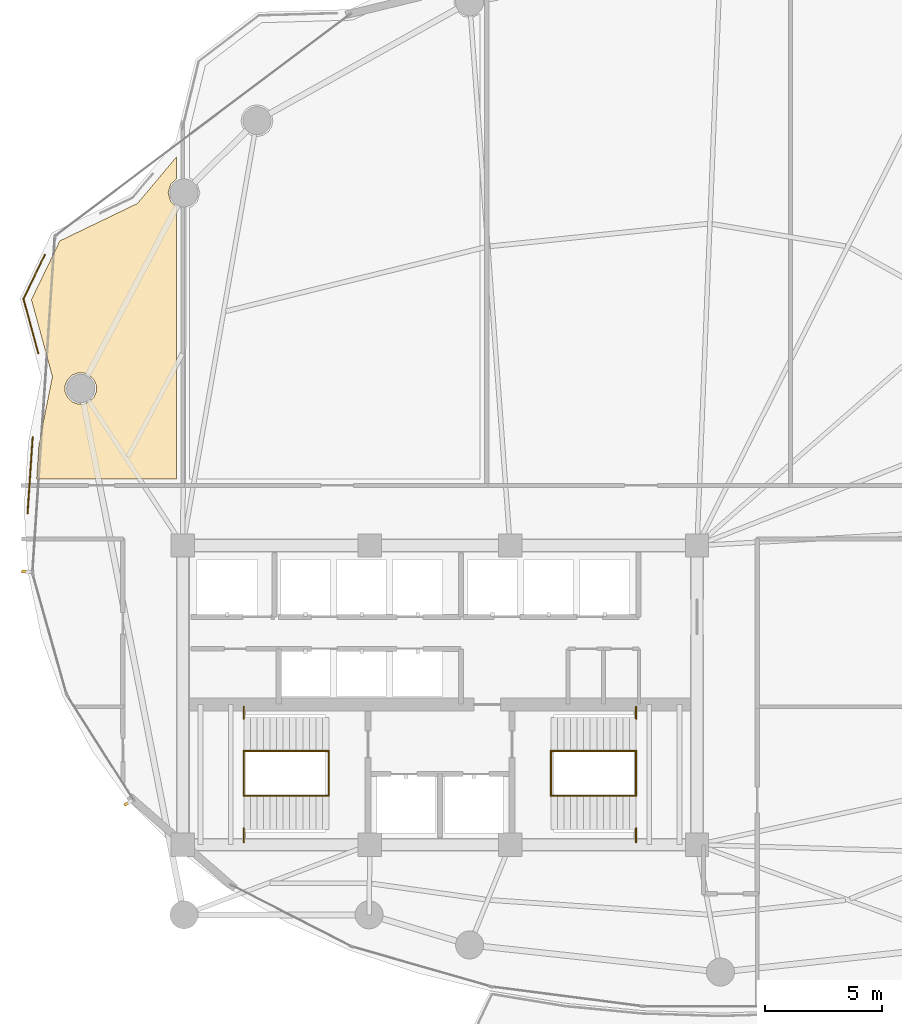
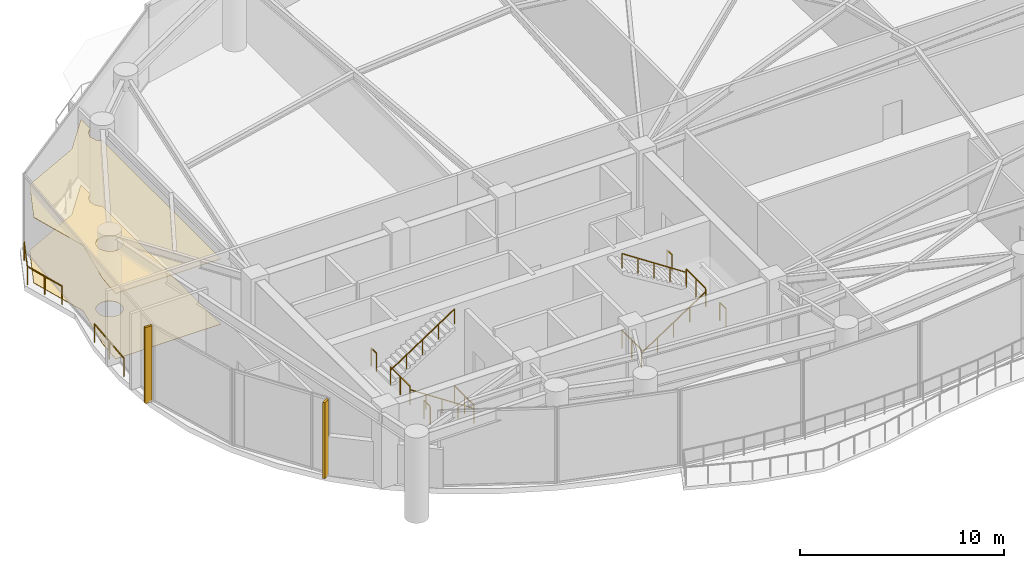
# One storey, part 28 of 30: 14 railings, 2 coverings, 2 shading devices.
"""IFC4 building model written with IfcOpenShell, lengths in metres."""

from ifc_helpers import new_model, si_unit, direction, frame, origin, origin_2d, place, context, subcontext, project, spatial, polyline, rectangle, outline, extrude, material, layer, layer_set, type_object, element, save


model = new_model("IFC4")

# Units and contexts
model_context = context("Model", 3, precision=1e-05, world=origin(), true_north=direction((0.0, 1.0)))
body_context = subcontext(model_context, "Body", "Model", "MODEL_VIEW")
ifc_project = project(units=[si_unit("LENGTHUNIT", "METRE"), si_unit("AREAUNIT", "SQUARE_METRE"), si_unit("VOLUMEUNIT", "CUBIC_METRE"), si_unit("PLANEANGLEUNIT", "RADIAN"), si_unit("MASSUNIT", "GRAM", prefix="KILO")], contexts=[model_context])

# Site, building, storey
site_placement = place(None, origin())
site = spatial("IfcSite", under=ifc_project, at=site_placement, CompositionType="ELEMENT")
building_placement = place(site_placement, origin())
building = spatial("IfcBuilding", under=site, at=building_placement, Name="Kazevale Care Tower and Concert Hall", CompositionType="ELEMENT")
storey_placement = place(building_placement, frame((0.0, 0.0, 97.800048828125)))
storey = spatial("IfcBuildingStorey", under=building, at=storey_placement, Name="L25", CompositionType="ELEMENT", Elevation=97.800048828125)

# Covering
ifc_material_1 = material(Name="Acoustic Plaster and Hinoki Wood", Category="wood")
ifc_layer_1 = layer(ifc_material_1, 0.0400390625)
ifc_layer_set_1 = layer_set([ifc_layer_1], Name="Acoustic Plaster and Hinoki Wood")
covering_type_1 = type_object("IfcCoveringType", Name="Acoustic Perforated Wood-Gypsum Ceiling", PredefinedType="CEILING", material=ifc_layer_set_1)
covering_1_placement = place(storey_placement, frame((0.0, 0.0, 3.909912109375)))
element("IfcCovering", 1, at=covering_1_placement, inside=storey, type_object=covering_type_1, Name="clg:L25:1", PredefinedType="CEILING", context=body_context, shape_type="SweptSolid", body=[
    extrude(outline(polyline([(16.738037109375, 49.43505859375), (20.055908203125, 51.035888671875), (21.719970703125, 53.01806640625), (21.719970703125, 52.0810546875), (21.485107421875, 51.867919921875), (21.3701171875, 51.489990234375), (21.485107421875, 51.112060546875), (21.719970703125, 50.89892578125), (21.719970703125, 39.2548828125), (15.743896484375, 39.2548828125), (15.843994140625, 40.760986328125), (16.419921875, 43.6240234375), (15.52099609375, 46.922119140625), (16.738037109375, 49.43505859375)]), holes=[polyline([(18.297119140625, 43.2529296875), (18.195068359375, 43.498046875), (18.008056640625, 43.68505859375), (17.762939453125, 43.787109375), (17.4970703125, 43.787109375), (17.251953125, 43.68505859375), (17.06494140625, 43.498046875), (16.962890625, 43.2529296875), (16.962890625, 42.987060546875), (17.06494140625, 42.741943359375), (17.251953125, 42.554931640625), (17.4970703125, 42.452880859375), (17.762939453125, 42.452880859375), (18.008056640625, 42.554931640625), (18.195068359375, 42.741943359375), (18.297119140625, 42.987060546875), (18.297119140625, 43.2529296875)])]), origin(), (0.0, 0.0, 1.0), 0.0400390625),
])

# Railings
ifc_material_2 = material(Name="Anodised Bronze Aluminium and Laminated Glass", Category="aluminium")
railing_type_1 = type_object("IfcRailingType", Name="Balcony and Terrace Balustrade 1120", PredefinedType="BALUSTRADE", material=ifc_material_2)
railing_1_placement = place(storey_placement, frame((15.35498046875, 37.77294921875, 0.0)))
element("IfcRailing", 2, at=railing_1_placement, inside=storey, type_object=railing_type_1, Name="rail:L25:perim:1", PredefinedType="BALUSTRADE", context=body_context, shape_type="SweptSolid", body=[
    extrude(rectangle(XDim=0.048095703125, YDim=0.048095703125, at=origin_2d()), frame((0.0, 0.0, 1.09619140625), z_axis=(0.066667660785, 0.997775236717, 0.0), x_axis=(-0.997775236717, 0.066667660785, 0.0)), (0.0, 0.0, 1.0), 3.270263671875),
    extrude(rectangle(XDim=0.0419921875, YDim=0.0419921875, at=origin_2d()), origin(), (0.0, 0.0, 1.0), 1.072021484375),
    extrude(rectangle(XDim=0.0419921875, YDim=0.0419921875, at=origin_2d()), frame((0.10888671875, 1.63134765625, 0.0)), (0.0, 0.0, 1.0), 1.072021484375),
    extrude(rectangle(XDim=0.0419921875, YDim=0.0419921875, at=origin_2d()), frame((0.218017578125, 3.262939453125, 0.0)), (0.0, 0.0, 1.0), 1.072021484375),
])
railing_2_placement = place(storey_placement, frame((15.81298828125, 44.631103515625, 0.0)))
element("IfcRailing", 3, at=railing_2_placement, inside=storey, type_object=railing_type_1, Name="rail:L25:perim:2", PredefinedType="BALUSTRADE", context=body_context, shape_type="SweptSolid", body=[
    extrude(rectangle(XDim=0.048095703125, YDim=0.048095703125, at=origin_2d()), frame((0.0, 0.0, 1.09619140625), z_axis=(-0.262679540439, 0.96488313232, 0.0), x_axis=(-0.96488313232, -0.262679540439, 0.0)), (0.0, 0.0, 1.0), 2.40625),
    extrude(rectangle(XDim=0.048095703125, YDim=0.048095703125, at=origin_2d()), frame((-0.632080078125, 2.32177734375, 1.09619140625), z_axis=(0.435530489305, 0.900173979232, 0.0), x_axis=(-0.900173979232, 0.435530489305, 0.0)), (0.0, 0.0, 1.0), 2.096435546875),
    extrude(rectangle(XDim=0.0419921875, YDim=0.0419921875, at=origin_2d()), origin(), (0.0, 0.0, 1.0), 1.072021484375),
    extrude(rectangle(XDim=0.0419921875, YDim=0.0419921875, at=origin_2d()), frame((-0.31591796875, 1.160888671875, 0.0)), (0.0, 0.0, 1.0), 1.072021484375),
    extrude(rectangle(XDim=0.0419921875, YDim=0.0419921875, at=origin_2d()), frame((-0.632080078125, 2.32177734375, 0.0)), (0.0, 0.0, 1.0), 1.072021484375),
    extrude(rectangle(XDim=0.0419921875, YDim=0.0419921875, at=origin_2d()), frame((0.281005859375, 4.208984375, 0.0)), (0.0, 0.0, 1.0), 1.072021484375),
])

# Covering
ifc_material_3 = material(Name="Honed Ochre Limestone", Category="masonry")
ifc_layer_2 = layer(ifc_material_3, 0.02001953125)
ifc_layer_set_2 = layer_set([ifc_layer_2], Name="Honed Ochre Limestone")
covering_type_2 = type_object("IfcCoveringType", Name="Slip-Resistant Resilient Care Flooring", PredefinedType="FLOORING", material=ifc_layer_set_2)
covering_2_placement = place(storey_placement, origin())
element("IfcCovering", 4, at=covering_2_placement, inside=storey, type_object=covering_type_2, Name="flr:L25:1", PredefinedType="FLOORING", context=body_context, shape_type="SweptSolid", body=[
    extrude(outline(polyline([(16.738037109375, 49.43505859375), (20.055908203125, 51.035888671875), (21.719970703125, 53.01806640625), (21.719970703125, 52.0810546875), (21.485107421875, 51.867919921875), (21.3701171875, 51.489990234375), (21.485107421875, 51.112060546875), (21.719970703125, 50.89892578125), (21.719970703125, 39.2548828125), (15.743896484375, 39.2548828125), (15.843994140625, 40.760986328125), (16.419921875, 43.6240234375), (15.52099609375, 46.922119140625), (16.738037109375, 49.43505859375)]), holes=[polyline([(18.297119140625, 43.2529296875), (18.195068359375, 43.498046875), (18.008056640625, 43.68505859375), (17.762939453125, 43.787109375), (17.4970703125, 43.787109375), (17.251953125, 43.68505859375), (17.06494140625, 43.498046875), (16.962890625, 43.2529296875), (16.962890625, 42.987060546875), (17.06494140625, 42.741943359375), (17.251953125, 42.554931640625), (17.4970703125, 42.452880859375), (17.762939453125, 42.452880859375), (18.008056640625, 42.554931640625), (18.195068359375, 42.741943359375), (18.297119140625, 42.987060546875), (18.297119140625, 43.2529296875)])]), origin(), (0.0, 0.0, 1.0), 0.02001953125),
])

# Railings
ifc_material_4 = material(Name="Stainless Steel 316", Category="steel")
railing_type_2 = type_object("IfcRailingType", Name="Stair Pitch Handrail 920", PredefinedType="HANDRAIL", material=ifc_material_4)
railing_3_placement = place(storey_placement, frame((28.25, 25.68994140625, 0.0)))
element("IfcRailing", 5, at=railing_3_placement, inside=storey, type_object=railing_type_2, Name="stair:L25:ST1:hr1", PredefinedType="HANDRAIL", context=body_context, shape_type="SweptSolid", body=[
    extrude(rectangle(XDim=0.048095703125, YDim=0.048095703125, at=origin_2d()), frame((0.0, 0.0, 0.89599609375), z_axis=(-0.834865213223, 0.0, 0.550454426587), x_axis=(0.0, -1.0, 0.0)), (0.0, 0.0, 1.0), 4.35986328125),
    extrude(rectangle(XDim=0.0419921875, YDim=0.0419921875, at=origin_2d()), origin(), (0.0, 0.0, 1.0), 0.871826171875),
    extrude(rectangle(XDim=0.0419921875, YDim=0.0419921875, at=origin_2d()), frame((-0.909912109375, 0.0, 0.60009765625)), (0.0, 0.0, 1.0), 0.871826171875),
    extrude(rectangle(XDim=0.0419921875, YDim=0.0419921875, at=origin_2d()), frame((-1.81982421875, 0.0, 1.199951171875)), (0.0, 0.0, 1.0), 0.871826171875),
    extrude(rectangle(XDim=0.0419921875, YDim=0.0419921875, at=origin_2d()), frame((-2.72998046875, 0.0, 1.7998046875)), (0.0, 0.0, 1.0), 0.871826171875),
    extrude(rectangle(XDim=0.0419921875, YDim=0.0419921875, at=origin_2d()), frame((-3.639892578125, 0.0, 2.39990234375)), (0.0, 0.0, 1.0), 0.871826171875),
])
railing_4_placement = place(storey_placement, frame((24.610107421875, 27.610107421875, 2.39990234375)))
element("IfcRailing", 6, at=railing_4_placement, inside=storey, type_object=railing_type_2, Name="stair:L25:ST1:hr2", PredefinedType="HANDRAIL", context=body_context, shape_type="SweptSolid", body=[
    extrude(rectangle(XDim=0.048095703125, YDim=0.048095703125, at=origin_2d()), frame((0.0, 0.0, 0.89599609375), z_axis=(0.834839479206, 0.0, 0.550493454965), x_axis=(0.0, 1.0, 0.0)), (0.0, 0.0, 1.0), 4.360107421875),
    extrude(rectangle(XDim=0.0419921875, YDim=0.0419921875, at=origin_2d()), origin(), (0.0, 0.0, 1.0), 0.871826171875),
    extrude(rectangle(XDim=0.0419921875, YDim=0.0419921875, at=origin_2d()), frame((0.909912109375, 0.0, 0.60009765625)), (0.0, 0.0, 1.0), 0.871826171875),
    extrude(rectangle(XDim=0.0419921875, YDim=0.0419921875, at=origin_2d()), frame((1.81982421875, 0.0, 1.2001953125)), (0.0, 0.0, 1.0), 0.871826171875),
    extrude(rectangle(XDim=0.0419921875, YDim=0.0419921875, at=origin_2d()), frame((2.72998046875, 0.0, 1.800048828125)), (0.0, 0.0, 1.0), 0.871826171875),
    extrude(rectangle(XDim=0.0419921875, YDim=0.0419921875, at=origin_2d()), frame((3.639892578125, 0.0, 2.400146484375)), (0.0, 0.0, 1.0), 0.871826171875),
])
railing_5_placement = place(storey_placement, frame((37.75, 25.68994140625, 0.0)))
element("IfcRailing", 7, at=railing_5_placement, inside=storey, type_object=railing_type_2, Name="stair:L25:ST2:hr1", PredefinedType="HANDRAIL", context=body_context, shape_type="SweptSolid", body=[
    extrude(rectangle(XDim=0.048095703125, YDim=0.048095703125, at=origin_2d()), frame((0.0, 0.0, 0.89599609375), z_axis=(0.834865213223, 0.0, 0.550454426587), x_axis=(0.0, 1.0, 0.0)), (0.0, 0.0, 1.0), 4.35986328125),
    extrude(rectangle(XDim=0.0419921875, YDim=0.0419921875, at=origin_2d()), origin(), (0.0, 0.0, 1.0), 0.871826171875),
    extrude(rectangle(XDim=0.0419921875, YDim=0.0419921875, at=origin_2d()), frame((0.909912109375, 0.0, 0.60009765625)), (0.0, 0.0, 1.0), 0.871826171875),
    extrude(rectangle(XDim=0.0419921875, YDim=0.0419921875, at=origin_2d()), frame((1.81982421875, 0.0, 1.199951171875)), (0.0, 0.0, 1.0), 0.871826171875),
    extrude(rectangle(XDim=0.0419921875, YDim=0.0419921875, at=origin_2d()), frame((2.72998046875, 0.0, 1.7998046875)), (0.0, 0.0, 1.0), 0.871826171875),
    extrude(rectangle(XDim=0.0419921875, YDim=0.0419921875, at=origin_2d()), frame((3.639892578125, 0.0, 2.39990234375)), (0.0, 0.0, 1.0), 0.871826171875),
])
railing_6_placement = place(storey_placement, frame((41.389892578125, 27.610107421875, 2.39990234375)))
element("IfcRailing", 8, at=railing_6_placement, inside=storey, type_object=railing_type_2, Name="stair:L25:ST2:hr2", PredefinedType="HANDRAIL", context=body_context, shape_type="SweptSolid", body=[
    extrude(rectangle(XDim=0.048095703125, YDim=0.048095703125, at=origin_2d()), frame((0.0, 0.0, 0.89599609375), z_axis=(-0.834839479206, 0.0, 0.550493454965), x_axis=(0.0, -1.0, 0.0)), (0.0, 0.0, 1.0), 4.360107421875),
    extrude(rectangle(XDim=0.0419921875, YDim=0.0419921875, at=origin_2d()), origin(), (0.0, 0.0, 1.0), 0.871826171875),
    extrude(rectangle(XDim=0.0419921875, YDim=0.0419921875, at=origin_2d()), frame((-0.909912109375, 0.0, 0.60009765625)), (0.0, 0.0, 1.0), 0.871826171875),
    extrude(rectangle(XDim=0.0419921875, YDim=0.0419921875, at=origin_2d()), frame((-1.81982421875, 0.0, 1.2001953125)), (0.0, 0.0, 1.0), 0.871826171875),
    extrude(rectangle(XDim=0.0419921875, YDim=0.0419921875, at=origin_2d()), frame((-2.72998046875, 0.0, 1.800048828125)), (0.0, 0.0, 1.0), 0.871826171875),
    extrude(rectangle(XDim=0.0419921875, YDim=0.0419921875, at=origin_2d()), frame((-3.639892578125, 0.0, 2.400146484375)), (0.0, 0.0, 1.0), 0.871826171875),
])
railing_type_3 = type_object("IfcRailingType", Name="Stair Well Guard Balustrade 1120", PredefinedType="BALUSTRADE", material=ifc_material_4)
railing_7_placement = place(storey_placement, frame((24.610107421875, 23.699951171875, 2.39990234375)))
element("IfcRailing", 9, at=railing_7_placement, inside=storey, type_object=railing_type_3, Name="stair:L25:ST1:grd_side1", PredefinedType="BALUSTRADE", context=body_context, shape_type="SweptSolid", body=[
    extrude(rectangle(XDim=0.048095703125, YDim=0.048095703125, at=origin_2d()), frame((0.0, 0.0, 1.09619140625), z_axis=(0.0, 1.0, 0.0), x_axis=(-1.0, 0.0, 0.0)), (0.0, 0.0, 1.0), 0.610107421875),
    extrude(rectangle(XDim=0.0419921875, YDim=0.0419921875, at=origin_2d()), origin(), (0.0, 0.0, 1.0), 1.072021484375),
    extrude(rectangle(XDim=0.0419921875, YDim=0.0419921875, at=origin_2d()), frame((0.0, 0.610107421875, 0.0)), (0.0, 0.0, 1.0), 1.072021484375),
])
railing_8_placement = place(storey_placement, frame((24.610107421875, 28.989990234375, 2.39990234375)))
element("IfcRailing", 10, at=railing_8_placement, inside=storey, type_object=railing_type_3, Name="stair:L25:ST1:grd_side2", PredefinedType="BALUSTRADE", context=body_context, shape_type="SweptSolid", body=[
    extrude(rectangle(XDim=0.048095703125, YDim=0.048095703125, at=origin_2d()), frame((0.0, 0.0, 1.09619140625), z_axis=(0.0, 1.0, 0.0), x_axis=(-1.0, 0.0, 0.0)), (0.0, 0.0, 1.0), 0.510009765625),
    extrude(rectangle(XDim=0.0419921875, YDim=0.0419921875, at=origin_2d()), origin(), (0.0, 0.0, 1.0), 1.072021484375),
    extrude(rectangle(XDim=0.0419921875, YDim=0.0419921875, at=origin_2d()), frame((0.0, 0.510009765625, 0.0)), (0.0, 0.0, 1.0), 1.072021484375),
])
for number, where, name in (
    (11, (24.610107421875, 25.68994140625, 2.39990234375), "stair:L25:ST1:grd_mid"),
    (12, (28.25, 25.68994140625, 0.0), "stair:L25:ST1:grd_flr"),
):
    element("IfcRailing", number, at=place(storey_placement, frame(where)), inside=storey, type_object=railing_type_3, Name=name, PredefinedType="BALUSTRADE", context=body_context, shape_type="SweptSolid", body=[
        extrude(rectangle(XDim=0.048095703125, YDim=0.048095703125, at=origin_2d()), frame((0.0, 0.0, 1.09619140625), z_axis=(0.0, 1.0, 0.0), x_axis=(-1.0, 0.0, 0.0)), (0.0, 0.0, 1.0), 1.920166015625),
        extrude(rectangle(XDim=0.0419921875, YDim=0.0419921875, at=origin_2d()), origin(), (0.0, 0.0, 1.0), 1.072021484375),
        extrude(rectangle(XDim=0.0419921875, YDim=0.0419921875, at=origin_2d()), frame((0.0, 0.9599609375, 0.0)), (0.0, 0.0, 1.0), 1.072021484375),
        extrude(rectangle(XDim=0.0419921875, YDim=0.0419921875, at=origin_2d()), frame((0.0, 1.920166015625, 0.0)), (0.0, 0.0, 1.0), 1.072021484375),
    ])
railing_9_placement = place(storey_placement, frame((41.389892578125, 23.699951171875, 2.39990234375)))
element("IfcRailing", 13, at=railing_9_placement, inside=storey, type_object=railing_type_3, Name="stair:L25:ST2:grd_side1", PredefinedType="BALUSTRADE", context=body_context, shape_type="SweptSolid", body=[
    extrude(rectangle(XDim=0.048095703125, YDim=0.048095703125, at=origin_2d()), frame((0.0, 0.0, 1.09619140625), z_axis=(0.0, 1.0, 0.0), x_axis=(-1.0, 0.0, 0.0)), (0.0, 0.0, 1.0), 0.610107421875),
    extrude(rectangle(XDim=0.0419921875, YDim=0.0419921875, at=origin_2d()), origin(), (0.0, 0.0, 1.0), 1.072021484375),
    extrude(rectangle(XDim=0.0419921875, YDim=0.0419921875, at=origin_2d()), frame((0.0, 0.610107421875, 0.0)), (0.0, 0.0, 1.0), 1.072021484375),
])
railing_10_placement = place(storey_placement, frame((41.389892578125, 28.989990234375, 2.39990234375)))
element("IfcRailing", 14, at=railing_10_placement, inside=storey, type_object=railing_type_3, Name="stair:L25:ST2:grd_side2", PredefinedType="BALUSTRADE", context=body_context, shape_type="SweptSolid", body=[
    extrude(rectangle(XDim=0.048095703125, YDim=0.048095703125, at=origin_2d()), frame((0.0, 0.0, 1.09619140625), z_axis=(0.0, 1.0, 0.0), x_axis=(-1.0, 0.0, 0.0)), (0.0, 0.0, 1.0), 0.510009765625),
    extrude(rectangle(XDim=0.0419921875, YDim=0.0419921875, at=origin_2d()), origin(), (0.0, 0.0, 1.0), 1.072021484375),
    extrude(rectangle(XDim=0.0419921875, YDim=0.0419921875, at=origin_2d()), frame((0.0, 0.510009765625, 0.0)), (0.0, 0.0, 1.0), 1.072021484375),
])
for number, where, name in (
    (15, (41.389892578125, 25.68994140625, 2.39990234375), "stair:L25:ST2:grd_mid"),
    (16, (37.75, 25.68994140625, 0.0), "stair:L25:ST2:grd_flr"),
):
    element("IfcRailing", number, at=place(storey_placement, frame(where)), inside=storey, type_object=railing_type_3, Name=name, PredefinedType="BALUSTRADE", context=body_context, shape_type="SweptSolid", body=[
        extrude(rectangle(XDim=0.048095703125, YDim=0.048095703125, at=origin_2d()), frame((0.0, 0.0, 1.09619140625), z_axis=(0.0, 1.0, 0.0), x_axis=(-1.0, 0.0, 0.0)), (0.0, 0.0, 1.0), 1.920166015625),
        extrude(rectangle(XDim=0.0419921875, YDim=0.0419921875, at=origin_2d()), origin(), (0.0, 0.0, 1.0), 1.072021484375),
        extrude(rectangle(XDim=0.0419921875, YDim=0.0419921875, at=origin_2d()), frame((0.0, 0.9599609375, 0.0)), (0.0, 0.0, 1.0), 1.072021484375),
        extrude(rectangle(XDim=0.0419921875, YDim=0.0419921875, at=origin_2d()), frame((0.0, 1.920166015625, 0.0)), (0.0, 0.0, 1.0), 1.072021484375),
    ])

# Shading devices
shading_device_type = type_object("IfcShadingDeviceType", Name="Vertical Honed Limestone Fin FIN-01", PredefinedType="USERDEFINED", material=ifc_material_3)
for number, where, z_axis, x_axis, name in (
    (17, (19.649658203125, 25.387451171875, 0.0), (0.0, 0.0, 1.0), (-0.843391445813, -0.537299608347, 0.0), "cw:L25:f11:fin"),
    (18, (15.293212890625, 35.2802734375, 0.0), (0.0, 0.0, 1.0), (-0.997778273548, 0.066622194773, 0.0), "cw:L25:f13:fin"),
):
    element("IfcShadingDevice", number, at=place(storey_placement, frame(where, z_axis=z_axis, x_axis=x_axis)), inside=storey, type_object=shading_device_type, Name=name, ObjectType="FIN", PredefinedType="USERDEFINED", context=body_context, shape_type="SweptSolid", body=[
        extrude(rectangle(XDim=0.3798828125, YDim=0.1201171875, at=origin_2d()), origin(), (0.0, 0.0, 1.0), 4.56005859375),
    ])

save(model, "model.ifc")
